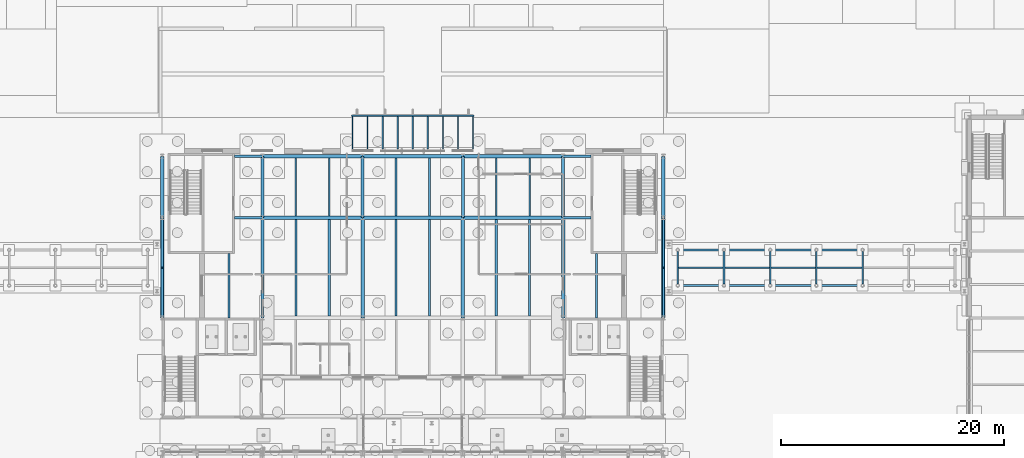
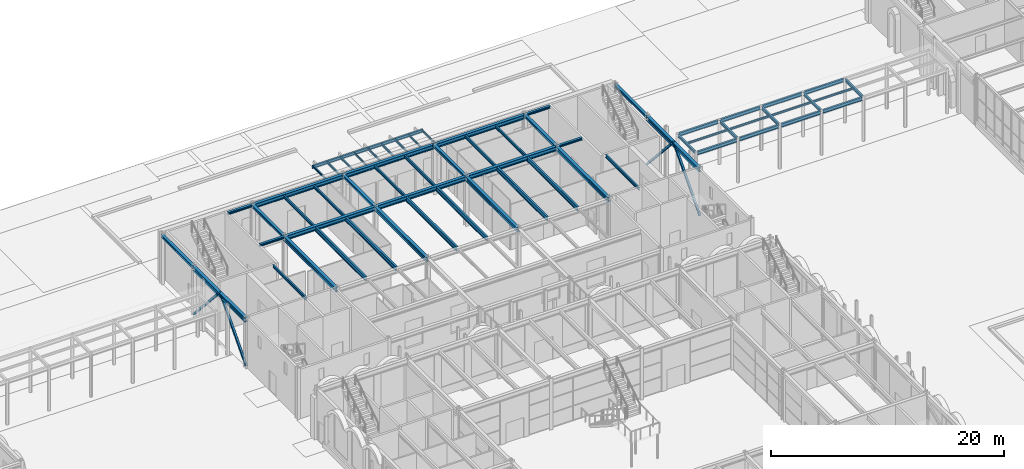
# One storey, part 54 of 126: 63 beams, 4 members.
"""IFC4 building model written with IfcOpenShell, lengths in metres."""

from ifc_helpers import new_model, si_unit, direction, frame, origin, origin_2d, place, context, subcontext, project, spatial, hollow_rectangle, i_section, extrude, material, material_profile, profile_set, type_object, element, save


model = new_model("IFC4")

# Units and contexts
model_context = context("Model", 3, precision=1e-05, world=origin(), true_north=direction((0.0, 1.0)))
body_context = subcontext(model_context, "Body", "Model", "MODEL_VIEW")
ifc_project = project(units=[si_unit("LENGTHUNIT", "METRE"), si_unit("AREAUNIT", "SQUARE_METRE"), si_unit("VOLUMEUNIT", "CUBIC_METRE"), si_unit("PLANEANGLEUNIT", "RADIAN"), si_unit("MASSUNIT", "GRAM", prefix="KILO")], contexts=[model_context])

# Site, building, storey
site_placement = place(None, origin())
site = spatial("IfcSite", under=ifc_project, at=site_placement, CompositionType="ELEMENT")
building_placement = place(site_placement, origin())
building = spatial("IfcBuilding", under=site, at=building_placement, Name="Kallimachos Central Library", CompositionType="ELEMENT")
storey_placement = place(building_placement, origin())
storey = spatial("IfcBuildingStorey", under=building, at=storey_placement, Name="L00", CompositionType="ELEMENT", Elevation=0.0)

# Beams
ifc_material_1 = material(Name="Steel S355J2", Category="steel")
ifc_material_profile_1 = material_profile(ifc_material_1, i_section(OverallWidth=0.239990234375, OverallDepth=0.22998046875, WebThickness=0.007568359375, FlangeThickness=0.011962890625, FilletRadius=0.02099609375, at=origin_2d()), Name="HEA 240")
ifc_profile_set_1 = profile_set([ifc_material_profile_1], Name="Steel S355J2")
beam_type_1 = type_object("IfcBeamType", Name="HEA 240 beam", PredefinedType="BEAM", material=ifc_profile_set_1)
for number, where, z_axis, x_axis, name in (
    (1, (72.0048828125, 105.0, 5.0849609375), (1.0, 0.0, 0.0), (0.0, 1.0, 0.0), "V1-BEM-L00-021"),
    (2, (101.5, 105.0, 5.0849609375), (1.0, 0.0, 0.0), (0.0, 1.0, 0.0), "V1-BEM-L00-025"),
    (3, (72.0048828125, 110.5, 5.0849609375), (1.0, 0.0, 0.0), (0.0, 1.0, 0.0), "V1-BEM-L00-026"),
    (4, (101.5, 110.5, 5.0849609375), (1.0, 0.0, 0.0), (0.0, 1.0, 0.0), "V1-BEM-L00-030"),
):
    element("IfcBeam", number, at=place(storey_placement, frame(where, z_axis=z_axis, x_axis=x_axis)), inside=storey, type_object=beam_type_1, Name=name, PredefinedType="BEAM", context=body_context, shape_type="SweptSolid", body=[
        extrude(i_section(OverallWidth=0.239990234375, OverallDepth=0.22998046875, WebThickness=0.007568359375, FlangeThickness=0.011962890625, FilletRadius=0.02099609375, at=origin_2d()), origin(), (0.0, 0.0, 1.0), 2.4951171875),
    ])
ifc_material_2 = material(Name="Steel S355J2", Category="steel")
ifc_material_profile_2 = material_profile(ifc_material_2, i_section(OverallWidth=0.280029296875, OverallDepth=0.27001953125, WebThickness=0.008056640625, FlangeThickness=0.012939453125, FilletRadius=0.02392578125, at=origin_2d()), Name="HEA 280")
ifc_profile_set_2 = profile_set([ifc_material_profile_2], Name="Steel S355J2")
beam_type_2 = type_object("IfcBeamType", Name="HEA 280 beam", PredefinedType="BEAM", material=ifc_profile_set_2)
for number, where, z_axis, x_axis, name in (
    (5, (65.5, 105.0, 5.06494140625), (0.0, 1.0, 0.0), (-1.0, 0.0, 0.0), "V1-BEM-L00-002"),
    (6, (74.5, 105.0, 5.06494140625), (0.0, 1.0, 0.0), (-1.0, 0.0, 0.0), "V1-BEM-L00-004"),
    (7, (83.5, 105.0, 5.06494140625), (0.0, 1.0, 0.0), (-1.0, 0.0, 0.0), "V1-BEM-L00-007"),
    (8, (92.5, 105.0, 5.06494140625), (0.0, 1.0, 0.0), (-1.0, 0.0, 0.0), "V1-BEM-L00-010"),
    (9, (101.5, 105.0, 5.06494140625), (0.0, 1.0, 0.0), (-1.0, 0.0, 0.0), "V1-BEM-L00-012"),
    (10, (110.5, 105.0, 5.06494140625), (0.0, 1.0, 0.0), (-1.0, 0.0, 0.0), "V1-BEM-L00-014"),
):
    element("IfcBeam", number, at=place(storey_placement, frame(where, z_axis=z_axis, x_axis=x_axis)), inside=storey, type_object=beam_type_2, Name=name, PredefinedType="BEAM", context=body_context, shape_type="SweptSolid", body=[
        extrude(i_section(OverallWidth=0.280029296875, OverallDepth=0.27001953125, WebThickness=0.008056640625, FlangeThickness=0.012939453125, FilletRadius=0.02392578125, at=origin_2d()), origin(), (0.0, 0.0, 1.0), 5.5),
    ])
ifc_material_3 = material(Name="Steel S355J2", Category="steel")
ifc_material_profile_3 = material_profile(ifc_material_3, i_section(OverallWidth=0.300048828125, OverallDepth=0.43994140625, WebThickness=0.011474609375, FlangeThickness=0.02099609375, FilletRadius=0.027099609375, at=origin_2d()), Name="HEA 450")
ifc_profile_set_3 = profile_set([ifc_material_profile_3], Name="Steel S355J2")
beam_type_3 = type_object("IfcBeamType", Name="HEA 450 beam", PredefinedType="BEAM", material=ifc_profile_set_3)
for number, where, z_axis, x_axis, name in (
    (11, (65.5, 96.0, 4.97998046875), (0.0, 1.0, 0.0), (-1.0, 0.0, 0.0), "V1-BEM-L00-001"),
    (12, (74.5, 96.0, 4.97998046875), (0.0, 1.0, 0.0), (-1.0, 0.0, 0.0), "V1-BEM-L00-003"),
    (13, (83.5, 96.0, 4.97998046875), (0.0, 1.0, 0.0), (-1.0, 0.0, 0.0), "V1-BEM-L00-006"),
    (14, (92.5, 96.0, 4.97998046875), (0.0, 1.0, 0.0), (-1.0, 0.0, 0.0), "V1-BEM-L00-009"),
    (15, (101.5, 96.0, 4.97998046875), (0.0, 1.0, 0.0), (-1.0, 0.0, 0.0), "V1-BEM-L00-011"),
    (16, (110.5, 96.0, 4.97998046875), (0.0, 1.0, 0.0), (-1.0, 0.0, 0.0), "V1-BEM-L00-013"),
    (17, (74.5, 105.0, 4.97998046875), (1.0, 0.0, 0.0), (0.0, 1.0, 0.0), "V1-BEM-L00-022"),
    (18, (83.5, 105.0, 4.97998046875), (1.0, 0.0, 0.0), (0.0, 1.0, 0.0), "V1-BEM-L00-023"),
    (19, (92.5, 105.0, 4.97998046875), (1.0, 0.0, 0.0), (0.0, 1.0, 0.0), "V1-BEM-L00-024"),
    (20, (74.5, 110.5, 4.97998046875), (1.0, 0.0, 0.0), (0.0, 1.0, 0.0), "V1-BEM-L00-027"),
    (21, (83.5, 110.5, 4.97998046875), (1.0, 0.0, 0.0), (0.0, 1.0, 0.0), "V1-BEM-L00-028"),
    (22, (92.5, 110.5, 4.97998046875), (1.0, 0.0, 0.0), (0.0, 1.0, 0.0), "V1-BEM-L00-029"),
):
    element("IfcBeam", number, at=place(storey_placement, frame(where, z_axis=z_axis, x_axis=x_axis)), inside=storey, type_object=beam_type_3, Name=name, PredefinedType="BEAM", context=body_context, shape_type="SweptSolid", body=[
        extrude(i_section(OverallWidth=0.300048828125, OverallDepth=0.43994140625, WebThickness=0.011474609375, FlangeThickness=0.02099609375, FilletRadius=0.027099609375, at=origin_2d()), origin(), (0.0, 0.0, 1.0), 9.0),
    ])
ifc_material_4 = material(Name="Steel S355J2", Category="steel")
ifc_material_profile_4 = material_profile(ifc_material_4, i_section(OverallWidth=0.10009765625, OverallDepth=0.199951171875, WebThickness=0.005615234375, FlangeThickness=0.008544921875, FilletRadius=0.011962890625, at=origin_2d()), Name="IPE 200")
ifc_profile_set_4 = profile_set([ifc_material_profile_4], Name="Steel S355J2")
beam_type_4 = type_object("IfcBeamType", Name="IPE 200 beam", PredefinedType="BEAM", material=ifc_profile_set_4)
for number, where, z_axis, x_axis, name in (
    (23, (111.875, 100.5, 4.550048828125), (1.0, 0.0, 0.0), (0.0, 1.0, 0.0), "links-BEM-L00-054"),
    (24, (116.02490234375, 100.5, 4.550048828125), (1.0, 0.0, 0.0), (0.0, 1.0, 0.0), "links-BEM-L00-055"),
    (25, (120.175048828125, 100.5, 4.550048828125), (1.0, 0.0, 0.0), (0.0, 1.0, 0.0), "links-BEM-L00-056"),
    (26, (124.324951171875, 100.5, 4.550048828125), (1.0, 0.0, 0.0), (0.0, 1.0, 0.0), "links-BEM-L00-057"),
):
    element("IfcBeam", number, at=place(storey_placement, frame(where, z_axis=z_axis, x_axis=x_axis)), inside=storey, type_object=beam_type_4, Name=name, PredefinedType="BEAM", context=body_context, shape_type="SweptSolid", body=[
        extrude(i_section(OverallWidth=0.10009765625, OverallDepth=0.199951171875, WebThickness=0.005615234375, FlangeThickness=0.008544921875, FilletRadius=0.011962890625, at=origin_2d()), origin(), (0.0, 0.0, 1.0), 4.0),
    ])
beam_1_placement = place(storey_placement, frame((82.60009765625, 111.179931640625, 4.10009765625), z_axis=(0.0, 1.0, 0.0), x_axis=(-1.0, 0.0, 0.0)))
element("IfcBeam", 27, at=beam_1_placement, inside=storey, type_object=beam_type_4, Name="Entrance canopy rafter", PredefinedType="BEAM", context=body_context, shape_type="SweptSolid", body=[
    extrude(i_section(OverallWidth=0.10009765625, OverallDepth=0.199951171875, WebThickness=0.005615234375, FlangeThickness=0.008544921875, FilletRadius=0.011962890625, at=origin_2d()), origin(), (0.0, 0.0, 1.0), 2.920166015625),
])
for number, where, z_axis, x_axis, name in (
    (28, (83.949951171875, 111.179931640625, 4.10009765625), (0.0, 1.0, 0.0), (-1.0, 0.0, 0.0), "Entrance canopy rafter"),
    (29, (85.300048828125, 111.179931640625, 4.10009765625), (0.0, 1.0, 0.0), (-1.0, 0.0, 0.0), "Entrance canopy rafter"),
    (30, (86.64990234375, 111.179931640625, 4.10009765625), (0.0, 1.0, 0.0), (-1.0, 0.0, 0.0), "Entrance canopy rafter"),
    (31, (88.0, 111.179931640625, 4.10009765625), (0.0, 1.0, 0.0), (-1.0, 0.0, 0.0), "Entrance canopy rafter"),
    (32, (89.35009765625, 111.179931640625, 4.10009765625), (0.0, 1.0, 0.0), (-1.0, 0.0, 0.0), "Entrance canopy rafter"),
    (33, (90.699951171875, 111.179931640625, 4.10009765625), (0.0, 1.0, 0.0), (-1.0, 0.0, 0.0), "Entrance canopy rafter"),
    (34, (92.050048828125, 111.179931640625, 4.10009765625), (0.0, 1.0, 0.0), (-1.0, 0.0, 0.0), "Entrance canopy rafter"),
):
    element("IfcBeam", number, at=place(storey_placement, frame(where, z_axis=z_axis, x_axis=x_axis)), inside=storey, type_object=beam_type_4, Name=name, PredefinedType="BEAM", context=body_context, shape_type="SweptSolid", body=[
        extrude(i_section(OverallWidth=0.10009765625, OverallDepth=0.199951171875, WebThickness=0.005615234375, FlangeThickness=0.008544921875, FilletRadius=0.011962890625, at=origin_2d()), origin(), (0.0, 0.0, 1.0), 2.89501953125),
    ])
beam_2_placement = place(storey_placement, frame((93.39990234375, 111.179931640625, 4.10009765625), z_axis=(0.0, 1.0, 0.0), x_axis=(-1.0, 0.0, 0.0)))
element("IfcBeam", 35, at=beam_2_placement, inside=storey, type_object=beam_type_4, Name="Entrance canopy rafter", PredefinedType="BEAM", context=body_context, shape_type="SweptSolid", body=[
    extrude(i_section(OverallWidth=0.10009765625, OverallDepth=0.199951171875, WebThickness=0.005615234375, FlangeThickness=0.008544921875, FilletRadius=0.011962890625, at=origin_2d()), origin(), (0.0, 0.0, 1.0), 2.920166015625),
])
ifc_material_5 = material(Name="Steel S355J2", Category="steel")
ifc_material_profile_5 = material_profile(ifc_material_5, i_section(OverallWidth=0.14990234375, OverallDepth=0.300048828125, WebThickness=0.007080078125, FlangeThickness=0.0107421875, FilletRadius=0.014892578125, at=origin_2d()), Name="IPE 300")
ifc_profile_set_5 = profile_set([ifc_material_profile_5], Name="Steel S355J2")
beam_type_5 = type_object("IfcBeamType", Name="IPE 300 beam", PredefinedType="BEAM", material=ifc_profile_set_5)
beam_3_placement = place(storey_placement, frame((71.5, 96.0048828125, 5.050048828125), z_axis=(0.0, 1.0, 0.0), x_axis=(-1.0, 0.0, 0.0)))
element("IfcBeam", 36, at=beam_3_placement, inside=storey, type_object=beam_type_5, Name="V1-BEM-L00-034", PredefinedType="BEAM", context=body_context, shape_type="SweptSolid", body=[
    extrude(i_section(OverallWidth=0.14990234375, OverallDepth=0.300048828125, WebThickness=0.007080078125, FlangeThickness=0.0107421875, FilletRadius=0.014892578125, at=origin_2d()), origin(), (0.0, 0.0, 1.0), 5.76513671875),
])
for number, where, z_axis, x_axis, name in (
    (37, (77.5, 105.14990234375, 5.050048828125), (0.0, 1.0, 0.0), (-1.0, 0.0, 0.0), "V1-BEM-L00-037"),
    (38, (80.5, 105.14990234375, 5.050048828125), (0.0, 1.0, 0.0), (-1.0, 0.0, 0.0), "V1-BEM-L00-040"),
    (39, (86.5, 105.14990234375, 5.050048828125), (0.0, 1.0, 0.0), (-1.0, 0.0, 0.0), "V1-BEM-L00-043"),
    (40, (89.5, 105.14990234375, 5.050048828125), (0.0, 1.0, 0.0), (-1.0, 0.0, 0.0), "V1-BEM-L00-046"),
    (41, (95.5, 105.14990234375, 5.050048828125), (0.0, 1.0, 0.0), (-1.0, 0.0, 0.0), "V1-BEM-L00-049"),
    (42, (98.5, 105.14990234375, 5.050048828125), (0.0, 1.0, 0.0), (-1.0, 0.0, 0.0), "V1-BEM-L00-052"),
):
    element("IfcBeam", number, at=place(storey_placement, frame(where, z_axis=z_axis, x_axis=x_axis)), inside=storey, type_object=beam_type_5, Name=name, PredefinedType="BEAM", context=body_context, shape_type="SweptSolid", body=[
        extrude(i_section(OverallWidth=0.14990234375, OverallDepth=0.300048828125, WebThickness=0.007080078125, FlangeThickness=0.0107421875, FilletRadius=0.014892578125, at=origin_2d()), origin(), (0.0, 0.0, 1.0), 5.2001953125),
    ])
beam_4_placement = place(storey_placement, frame((104.5, 96.0048828125, 5.050048828125), z_axis=(0.0, 1.0, 0.0), x_axis=(-1.0, 0.0, 0.0)))
element("IfcBeam", 43, at=beam_4_placement, inside=storey, type_object=beam_type_5, Name="V1-BEM-L00-053", PredefinedType="BEAM", context=body_context, shape_type="SweptSolid", body=[
    extrude(i_section(OverallWidth=0.14990234375, OverallDepth=0.300048828125, WebThickness=0.007080078125, FlangeThickness=0.0107421875, FilletRadius=0.014892578125, at=origin_2d()), origin(), (0.0, 0.0, 1.0), 5.76513671875),
])
for number, where, z_axis, x_axis, name in (
    (44, (111.800048828125, 99.03662109375, 4.5), (0.0, 1.0, 0.0), (-1.0, 0.0, 0.0), "links-BEM-L00-047"),
    (45, (115.949951171875, 99.03662109375, 4.5), (0.0, 1.0, 0.0), (-1.0, 0.0, 0.0), "links-BEM-L00-048"),
    (46, (120.10009765625, 99.03662109375, 4.5), (0.0, 1.0, 0.0), (-1.0, 0.0, 0.0), "links-BEM-L00-049"),
    (47, (124.25, 99.03662109375, 4.5), (0.0, 1.0, 0.0), (-1.0, 0.0, 0.0), "links-BEM-L00-050"),
    (48, (128.39990234375, 99.03662109375, 4.5), (0.0, 1.0, 0.0), (-1.0, 0.0, 0.0), "links-BEM-L00-051"),
):
    element("IfcBeam", number, at=place(storey_placement, frame(where, z_axis=z_axis, x_axis=x_axis)), inside=storey, type_object=beam_type_5, Name=name, PredefinedType="BEAM", context=body_context, shape_type="SweptSolid", body=[
        extrude(i_section(OverallWidth=0.14990234375, OverallDepth=0.300048828125, WebThickness=0.007080078125, FlangeThickness=0.0107421875, FilletRadius=0.014892578125, at=origin_2d()), origin(), (0.0, 0.0, 1.0), 2.9267578125),
    ])
beam_5_placement = place(storey_placement, frame((82.509521484375, 114.14990234375, 4.050048828125), z_axis=(1.0, 0.0, 0.0), x_axis=(0.0, 1.0, 0.0)))
element("IfcBeam", 49, at=beam_5_placement, inside=storey, type_object=beam_type_5, Name="Entrance canopy edge beam", PredefinedType="BEAM", context=body_context, shape_type="SweptSolid", body=[
    extrude(i_section(OverallWidth=0.14990234375, OverallDepth=0.300048828125, WebThickness=0.007080078125, FlangeThickness=0.0107421875, FilletRadius=0.014892578125, at=origin_2d()), origin(), (0.0, 0.0, 1.0), 10.98095703125),
])
ifc_material_6 = material(Name="Steel S355J2", Category="steel")
ifc_material_profile_6 = material_profile(ifc_material_6, i_section(OverallWidth=0.169921875, OverallDepth=0.360107421875, WebThickness=0.008056640625, FlangeThickness=0.0126953125, FilletRadius=0.01806640625, at=origin_2d()), Name="IPE 360")
ifc_profile_set_6 = profile_set([ifc_material_profile_6], Name="Steel S355J2")
beam_type_6 = type_object("IfcBeamType", Name="IPE 360 beam", PredefinedType="BEAM", material=ifc_profile_set_6)
for number, where, z_axis, x_axis, name in (
    (50, (111.9365234375, 98.89990234375, 4.469970703125), (1.0, 0.0, 0.0), (0.0, 1.0, 0.0), "links-BEM-L00-035"),
    (51, (116.08642578125, 98.89990234375, 4.469970703125), (1.0, 0.0, 0.0), (0.0, 1.0, 0.0), "links-BEM-L00-036"),
    (52, (120.236572265625, 98.89990234375, 4.469970703125), (1.0, 0.0, 0.0), (0.0, 1.0, 0.0), "links-BEM-L00-037"),
    (53, (124.386474609375, 98.89990234375, 4.469970703125), (1.0, 0.0, 0.0), (0.0, 1.0, 0.0), "links-BEM-L00-038"),
    (54, (111.9365234375, 102.10009765625, 4.469970703125), (1.0, 0.0, 0.0), (0.0, 1.0, 0.0), "links-BEM-L00-041"),
    (55, (116.08642578125, 102.10009765625, 4.469970703125), (1.0, 0.0, 0.0), (0.0, 1.0, 0.0), "links-BEM-L00-042"),
    (56, (120.236572265625, 102.10009765625, 4.469970703125), (1.0, 0.0, 0.0), (0.0, 1.0, 0.0), "links-BEM-L00-043"),
    (57, (124.386474609375, 102.10009765625, 4.469970703125), (1.0, 0.0, 0.0), (0.0, 1.0, 0.0), "links-BEM-L00-044"),
):
    element("IfcBeam", number, at=place(storey_placement, frame(where, z_axis=z_axis, x_axis=x_axis)), inside=storey, type_object=beam_type_6, Name=name, PredefinedType="BEAM", context=body_context, shape_type="SweptSolid", body=[
        extrude(i_section(OverallWidth=0.169921875, OverallDepth=0.360107421875, WebThickness=0.008056640625, FlangeThickness=0.0126953125, FilletRadius=0.01806640625, at=origin_2d()), origin(), (0.0, 0.0, 1.0), 3.876953125),
    ])
ifc_material_7 = material(Name="Steel S355J2", Category="steel")
ifc_material_profile_7 = material_profile(ifc_material_7, i_section(OverallWidth=0.18994140625, OverallDepth=0.449951171875, WebThickness=0.009521484375, FlangeThickness=0.0146484375, FilletRadius=0.02099609375, at=origin_2d()), Name="IPE 450")
ifc_profile_set_7 = profile_set([ifc_material_profile_7], Name="Steel S355J2")
beam_type_7 = type_object("IfcBeamType", Name="IPE 450 beam", PredefinedType="BEAM", material=ifc_profile_set_7)
for number, where, z_axis, x_axis, name in (
    (58, (77.5, 96.14990234375, 4.97509765625), (0.0, 1.0, 0.0), (-1.0, 0.0, 0.0), "V1-BEM-L00-036"),
    (59, (80.5, 96.14990234375, 4.97509765625), (0.0, 1.0, 0.0), (-1.0, 0.0, 0.0), "V1-BEM-L00-039"),
    (60, (86.5, 96.14990234375, 4.97509765625), (0.0, 1.0, 0.0), (-1.0, 0.0, 0.0), "V1-BEM-L00-042"),
    (61, (89.5, 96.14990234375, 4.97509765625), (0.0, 1.0, 0.0), (-1.0, 0.0, 0.0), "V1-BEM-L00-045"),
    (62, (95.5, 96.14990234375, 4.97509765625), (0.0, 1.0, 0.0), (-1.0, 0.0, 0.0), "V1-BEM-L00-048"),
    (63, (98.5, 96.14990234375, 4.97509765625), (0.0, 1.0, 0.0), (-1.0, 0.0, 0.0), "V1-BEM-L00-051"),
):
    element("IfcBeam", number, at=place(storey_placement, frame(where, z_axis=z_axis, x_axis=x_axis)), inside=storey, type_object=beam_type_7, Name=name, PredefinedType="BEAM", context=body_context, shape_type="SweptSolid", body=[
        extrude(i_section(OverallWidth=0.18994140625, OverallDepth=0.449951171875, WebThickness=0.009521484375, FlangeThickness=0.0146484375, FilletRadius=0.02099609375, at=origin_2d()), origin(), (0.0, 0.0, 1.0), 8.7001953125),
    ])

# Members
ifc_material_8 = material(Name="Steel S355J2H", Category="steel")
ifc_material_profile_8 = material_profile(ifc_material_8, hollow_rectangle(XDim=0.199951171875, YDim=0.199951171875, WallThickness=0.010009765625, InnerFilletRadius=0.010009765625, OuterFilletRadius=0.014892578125, at=origin_2d()), Name="SHS 200x200x10")
ifc_profile_set_8 = profile_set([ifc_material_profile_8], Name="Steel S355J2H")
member_type = type_object("IfcMemberType", Name="SHS 200x200x10 brace", PredefinedType="BRACE", material=ifc_profile_set_8)
for number, where, z_axis, x_axis, name in (
    (64, (65.5, 96.0, 0.14990234375), (0.0, 0.668964731622, 0.743294146247), (-1.0, 0.0, 0.0), "Chevron brace 65.5 L00"),
    (65, (65.5, 105.0, 0.14990234375), (0.0, -0.668964731622, 0.743294146247), (1.0, 0.0, 0.0), "Chevron brace 65.5 L00"),
    (66, (110.5, 96.0, 0.14990234375), (0.0, 0.668964731622, 0.743294146247), (-1.0, 0.0, 0.0), "Chevron brace 110.5 L00"),
    (67, (110.5, 105.0, 0.14990234375), (0.0, -0.668964731622, 0.743294146247), (1.0, 0.0, 0.0), "Chevron brace 110.5 L00"),
):
    element("IfcMember", number, at=place(storey_placement, frame(where, z_axis=z_axis, x_axis=x_axis)), inside=storey, type_object=member_type, Name=name, PredefinedType="BRACE", context=body_context, shape_type="SweptSolid", body=[
        extrude(hollow_rectangle(XDim=0.199951171875, YDim=0.199951171875, WallThickness=0.010009765625, InnerFilletRadius=0.010009765625, OuterFilletRadius=0.014892578125, at=origin_2d()), origin(), (0.0, 0.0, 1.0), 6.726806640625),
    ])

save(model, "model.ifc")
